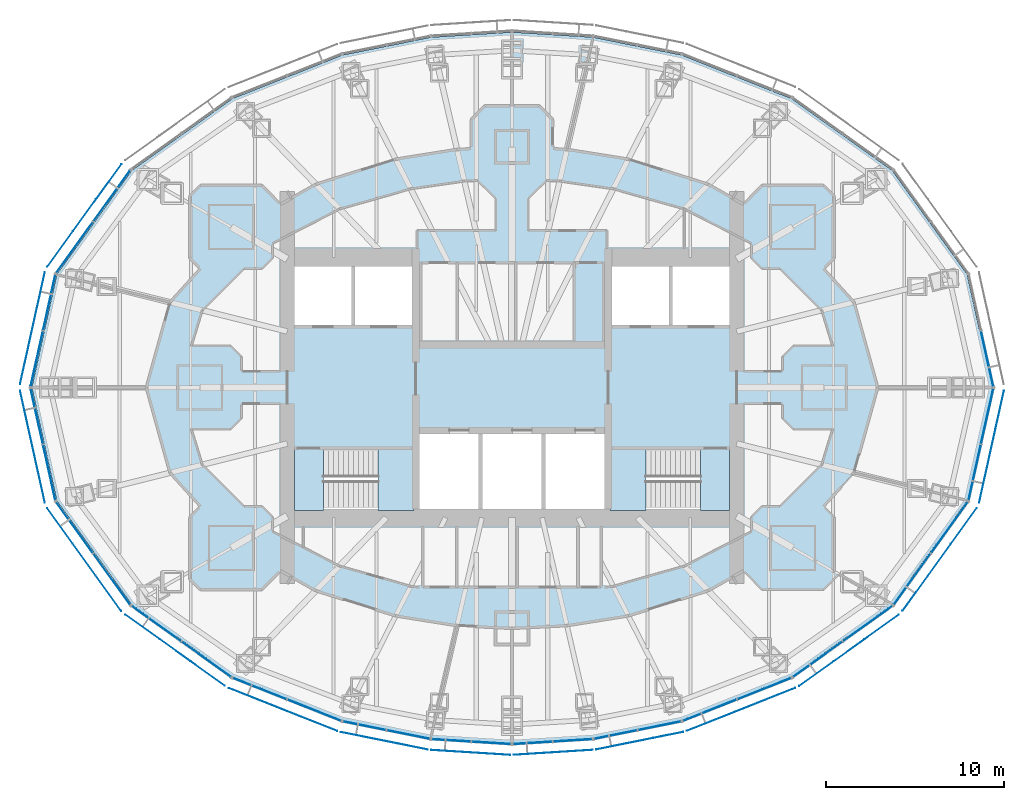
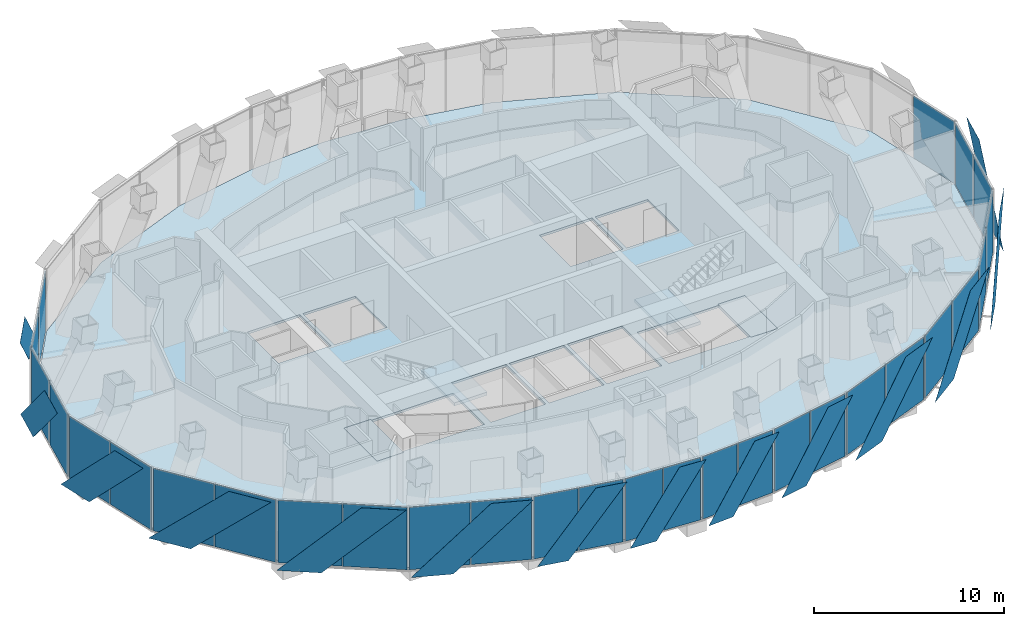
# One storey, part 10 of 18: 43 plates, 5 slabs, 17 elements without a shape of their own.
"""IFC4 building model written with IfcOpenShell, lengths in metres."""

from ifc_helpers import new_model, si_unit, direction, frame, origin, origin_2d, place, context, subcontext, project, spatial, polyline, rectangle, outline, extrude, material, layer, layer_set, type_object, element, aggregate, save


model = new_model("IFC4")

# Units and contexts
model_context = context("Model", 3, precision=1e-05, world=origin(), true_north=direction((0.0, 1.0)))
body_context = subcontext(model_context, "Body", "Model", "MODEL_VIEW")
ifc_project = project(units=[si_unit("LENGTHUNIT", "METRE"), si_unit("AREAUNIT", "SQUARE_METRE"), si_unit("VOLUMEUNIT", "CUBIC_METRE"), si_unit("PLANEANGLEUNIT", "RADIAN"), si_unit("MASSUNIT", "GRAM", prefix="KILO")], contexts=[model_context])

# Site, building, storey
site_placement = place(None, origin())
site = spatial("IfcSite", under=ifc_project, at=site_placement, CompositionType="ELEMENT")
building_placement = place(site_placement, origin())
building = spatial("IfcBuilding", under=site, at=building_placement, Name="Lantaw Convention Tower", CompositionType="ELEMENT")
storey_placement = place(building_placement, frame((0.0, 0.0, 266.199951171875)))
storey = spatial("IfcBuildingStorey", under=building, at=storey_placement, Name="L62", CompositionType="ELEMENT", Elevation=266.199951171875)

# Curtain wall, plate
ifc_material_1 = material(Name="Aluminium framed curtain wall", Category="aluminium")
curtain_wall_type = type_object("IfcCurtainWallType", Name="Office curtain wall high rise, pale aluminium", PredefinedType="USERDEFINED", material=ifc_material_1)
curtain_wall_1_placement = place(storey_placement, origin())
curtain_wall_1 = element("IfcCurtainWall", 1, at=curtain_wall_1_placement, inside=storey, type_object=curtain_wall_type, Name="Office curtain wall high rise, pale aluminium L62", ObjectType="UNITISED CURTAIN WALL", PredefinedType="USERDEFINED")
ifc_material_2 = material(Name="Clear insulating glass", Category="glass")
ifc_layer_1 = layer(ifc_material_2, 0.028076171875)
ifc_layer_set_1 = layer_set([ifc_layer_1], Name="CW-O2 panel 28")
plate_type_1 = type_object("IfcPlateType", Name="CW-O2 panel 28", PredefinedType="CURTAIN_PANEL", material=ifc_layer_set_1)
plate_1_placement = place(storey_placement, frame((26.643798828125, 1.61083984375, -0.0849609375), z_axis=(0.0, 0.0, 1.0), x_axis=(-0.215891333626, 0.976417396437, 0.0)))
plate_1 = element("IfcPlate", 2, at=plate_1_placement, type_object=plate_type_1, Name="CW-O2 panel 1.1", PredefinedType="CURTAIN_PANEL", context=body_context, shape_type="SweptSolid", body=[
    extrude(rectangle(XDim=3.169677734375, YDim=0.028076171875, at=origin_2d()), origin(), (0.0, 0.0, 1.0), 4.02001953125),
])
aggregate(curtain_wall_1, [plate_1])

# Curtain wall, plates
curtain_wall_2_placement = place(storey_placement, origin())
curtain_wall_2 = element("IfcCurtainWall", 3, at=curtain_wall_2_placement, inside=storey, type_object=curtain_wall_type, Name="Office curtain wall high rise, pale aluminium L62", ObjectType="UNITISED CURTAIN WALL", PredefinedType="USERDEFINED")
plate_2_placement = place(storey_placement, frame((-22.4404296875, 10.743896484375, -0.0849609375), z_axis=(0.0, 0.0, 1.0), x_axis=(-0.585157643865, -0.810919559405, 0.0)))
plate_2 = element("IfcPlate", 4, at=plate_2_placement, type_object=plate_type_1, Name="CW-O2 panel 1.1", PredefinedType="CURTAIN_PANEL", context=body_context, shape_type="SweptSolid", body=[
    extrude(rectangle(XDim=3.500732421875, YDim=0.028076171875, at=origin_2d()), origin(), (0.0, 0.0, 1.0), 4.02001953125),
])
plate_3_placement = place(storey_placement, frame((-24.527099609375, 7.852294921875, -0.0849609375), z_axis=(0.0, 0.0, 1.0), x_axis=(-0.585157643865, -0.810919559405, 0.0)))
plate_3 = element("IfcPlate", 5, at=plate_3_placement, type_object=plate_type_1, Name="CW-O2 panel 2.1", PredefinedType="CURTAIN_PANEL", context=body_context, shape_type="SweptSolid", body=[
    extrude(rectangle(XDim=3.500732421875, YDim=0.028076171875, at=origin_2d()), origin(), (0.0, 0.0, 1.0), 4.02001953125),
])
aggregate(curtain_wall_2, [plate_2, plate_3])

curtain_wall_3_placement = place(storey_placement, origin())
curtain_wall_3 = element("IfcCurtainWall", 6, at=curtain_wall_3_placement, inside=storey, type_object=curtain_wall_type, Name="Office curtain wall high rise, pale aluminium L62", ObjectType="UNITISED CURTAIN WALL", PredefinedType="USERDEFINED")
plate_4_placement = place(storey_placement, frame((-25.945556640625, 4.769287109375, -0.0849609375), z_axis=(0.0, 0.0, 1.0), x_axis=(-0.215891333626, -0.976417396437, 0.0)))
plate_4 = element("IfcPlate", 7, at=plate_4_placement, type_object=plate_type_1, Name="CW-O2 panel 1.1", PredefinedType="CURTAIN_PANEL", context=body_context, shape_type="SweptSolid", body=[
    extrude(rectangle(XDim=3.169677734375, YDim=0.028076171875, at=origin_2d()), origin(), (0.0, 0.0, 1.0), 4.02001953125),
])
plate_5_placement = place(storey_placement, frame((-26.643798828125, 1.61083984375, -0.0849609375), z_axis=(0.0, 0.0, 1.0), x_axis=(-0.215891333626, -0.976417396437, 0.0)))
plate_5 = element("IfcPlate", 8, at=plate_5_placement, type_object=plate_type_1, Name="CW-O2 panel 2.1", PredefinedType="CURTAIN_PANEL", context=body_context, shape_type="SweptSolid", body=[
    extrude(rectangle(XDim=3.169677734375, YDim=0.028076171875, at=origin_2d()), origin(), (0.0, 0.0, 1.0), 4.02001953125),
])
aggregate(curtain_wall_3, [plate_4, plate_5])

curtain_wall_4_placement = place(storey_placement, origin())
curtain_wall_4 = element("IfcCurtainWall", 9, at=curtain_wall_4_placement, inside=storey, type_object=curtain_wall_type, Name="Office curtain wall high rise, pale aluminium L62", ObjectType="UNITISED CURTAIN WALL", PredefinedType="USERDEFINED")
plate_6_placement = place(storey_placement, frame((-26.643798828125, -1.61083984375, -0.0849609375), z_axis=(0.0, 0.0, 1.0), x_axis=(0.215891333626, -0.976417396437, 0.0)))
plate_6 = element("IfcPlate", 10, at=plate_6_placement, type_object=plate_type_1, Name="CW-O2 panel 1.1", PredefinedType="CURTAIN_PANEL", context=body_context, shape_type="SweptSolid", body=[
    extrude(rectangle(XDim=3.169677734375, YDim=0.028076171875, at=origin_2d()), origin(), (0.0, 0.0, 1.0), 4.02001953125),
])
plate_7_placement = place(storey_placement, frame((-25.945556640625, -4.769287109375, -0.0849609375), z_axis=(0.0, 0.0, 1.0), x_axis=(0.215891333626, -0.976417396437, 0.0)))
plate_7 = element("IfcPlate", 11, at=plate_7_placement, type_object=plate_type_1, Name="CW-O2 panel 2.1", PredefinedType="CURTAIN_PANEL", context=body_context, shape_type="SweptSolid", body=[
    extrude(rectangle(XDim=3.169677734375, YDim=0.028076171875, at=origin_2d()), origin(), (0.0, 0.0, 1.0), 4.02001953125),
])
aggregate(curtain_wall_4, [plate_6, plate_7])

curtain_wall_5_placement = place(storey_placement, origin())
curtain_wall_5 = element("IfcCurtainWall", 12, at=curtain_wall_5_placement, inside=storey, type_object=curtain_wall_type, Name="Office curtain wall high rise, pale aluminium L62", ObjectType="UNITISED CURTAIN WALL", PredefinedType="USERDEFINED")
plate_8_placement = place(storey_placement, frame((-24.527099609375, -7.852294921875, -0.0849609375), z_axis=(0.0, 0.0, 1.0), x_axis=(0.585157643865, -0.810919559405, 0.0)))
plate_8 = element("IfcPlate", 13, at=plate_8_placement, type_object=plate_type_1, Name="CW-O2 panel 1.1", PredefinedType="CURTAIN_PANEL", context=body_context, shape_type="SweptSolid", body=[
    extrude(rectangle(XDim=3.500732421875, YDim=0.028076171875, at=origin_2d()), origin(), (0.0, 0.0, 1.0), 4.02001953125),
])
plate_9_placement = place(storey_placement, frame((-22.4404296875, -10.743896484375, -0.0849609375), z_axis=(0.0, 0.0, 1.0), x_axis=(0.585157643865, -0.810919559405, 0.0)))
plate_9 = element("IfcPlate", 14, at=plate_9_placement, type_object=plate_type_1, Name="CW-O2 panel 2.1", PredefinedType="CURTAIN_PANEL", context=body_context, shape_type="SweptSolid", body=[
    extrude(rectangle(XDim=3.500732421875, YDim=0.028076171875, at=origin_2d()), origin(), (0.0, 0.0, 1.0), 4.02001953125),
])
aggregate(curtain_wall_5, [plate_8, plate_9])

curtain_wall_6_placement = place(storey_placement, origin())
curtain_wall_6 = element("IfcCurtainWall", 15, at=curtain_wall_6_placement, inside=storey, type_object=curtain_wall_type, Name="Office curtain wall high rise, pale aluminium L62", ObjectType="UNITISED CURTAIN WALL", PredefinedType="USERDEFINED")
plate_10_placement = place(storey_placement, frame((-19.947509765625, -13.23828125, -0.0849609375), z_axis=(0.0, 0.0, 1.0), x_axis=(0.813672540482, -0.581323487281, 0.0)))
plate_10 = element("IfcPlate", 16, at=plate_10_placement, type_object=plate_type_1, Name="CW-O2 panel 1.1", PredefinedType="CURTAIN_PANEL", context=body_context, shape_type="SweptSolid", body=[
    extrude(rectangle(XDim=3.386474609375, YDim=0.028076171875, at=origin_2d()), origin(), (0.0, 0.0, 1.0), 4.02001953125),
])
plate_11_placement = place(storey_placement, frame((-17.13916015625, -15.24462890625, -0.0849609375), z_axis=(0.0, 0.0, 1.0), x_axis=(0.813672540482, -0.581323487281, 0.0)))
plate_11 = element("IfcPlate", 17, at=plate_11_placement, type_object=plate_type_1, Name="CW-O2 panel 2.1", PredefinedType="CURTAIN_PANEL", context=body_context, shape_type="SweptSolid", body=[
    extrude(rectangle(XDim=3.386474609375, YDim=0.028076171875, at=origin_2d()), origin(), (0.0, 0.0, 1.0), 4.02001953125),
])
aggregate(curtain_wall_6, [plate_10, plate_11])

curtain_wall_7_placement = place(storey_placement, origin())
curtain_wall_7 = element("IfcCurtainWall", 18, at=curtain_wall_7_placement, inside=storey, type_object=curtain_wall_type, Name="Office curtain wall high rise, pale aluminium L62", ObjectType="UNITISED CURTAIN WALL", PredefinedType="USERDEFINED")
plate_12_placement = place(storey_placement, frame((-14.14990234375, -16.8837890625, -0.0849609375), z_axis=(0.0, 0.0, 1.0), x_axis=(0.929761533743, -0.368162315252, 0.0)))
plate_12 = element("IfcPlate", 19, at=plate_12_placement, type_object=plate_type_1, Name="CW-O2 panel 1.1", PredefinedType="CURTAIN_PANEL", context=body_context, shape_type="SweptSolid", body=[
    extrude(rectangle(XDim=3.222900390625, YDim=0.028076171875, at=origin_2d()), origin(), (0.0, 0.0, 1.0), 4.02001953125),
])
plate_13_placement = place(storey_placement, frame((-11.0927734375, -18.094482421875, -0.0849609375), z_axis=(0.0, 0.0, 1.0), x_axis=(0.929761533743, -0.368162315252, 0.0)))
plate_13 = element("IfcPlate", 20, at=plate_13_placement, type_object=plate_type_1, Name="CW-O2 panel 2.1", PredefinedType="CURTAIN_PANEL", context=body_context, shape_type="SweptSolid", body=[
    extrude(rectangle(XDim=3.222900390625, YDim=0.028076171875, at=origin_2d()), origin(), (0.0, 0.0, 1.0), 4.02001953125),
])
aggregate(curtain_wall_7, [plate_12, plate_13])

curtain_wall_8_placement = place(storey_placement, origin())
curtain_wall_8 = element("IfcCurtainWall", 21, at=curtain_wall_8_placement, inside=storey, type_object=curtain_wall_type, Name="Office curtain wall high rise, pale aluminium L62", ObjectType="UNITISED CURTAIN WALL", PredefinedType="USERDEFINED")
plate_14_placement = place(storey_placement, frame((-8.2724609375, -18.96533203125, -0.0849609375), z_axis=(0.0, 0.0, 1.0), x_axis=(0.980366679695, -0.197183095987, 0.0)))
plate_14 = element("IfcPlate", 22, at=plate_14_placement, type_object=plate_type_1, Name="CW-O2 panel 1.1", PredefinedType="CURTAIN_PANEL", context=body_context, shape_type="SweptSolid", body=[
    extrude(rectangle(XDim=2.44384765625, YDim=0.028076171875, at=origin_2d()), origin(), (0.0, 0.0, 1.0), 4.02001953125),
])
plate_15_placement = place(storey_placement, frame((-5.81298828125, -19.4599609375, -0.0849609375), z_axis=(0.0, 0.0, 1.0), x_axis=(0.980366679695, -0.197183095987, 0.0)))
plate_15 = element("IfcPlate", 23, at=plate_15_placement, type_object=plate_type_1, Name="CW-O2 panel 2.1", PredefinedType="CURTAIN_PANEL", context=body_context, shape_type="SweptSolid", body=[
    extrude(rectangle(XDim=2.44384765625, YDim=0.028076171875, at=origin_2d()), origin(), (0.0, 0.0, 1.0), 4.02001953125),
])
aggregate(curtain_wall_8, [plate_14, plate_15])

curtain_wall_9_placement = place(storey_placement, origin())
curtain_wall_9 = element("IfcCurtainWall", 24, at=curtain_wall_9_placement, inside=storey, type_object=curtain_wall_type, Name="Office curtain wall high rise, pale aluminium L62", ObjectType="UNITISED CURTAIN WALL", PredefinedType="USERDEFINED")
plate_16_placement = place(storey_placement, frame((-3.397216796875, -19.786376953125, -0.0849609375), z_axis=(0.0, 0.0, 1.0), x_axis=(0.998028774865, -0.062757983884, 0.0)))
plate_16 = element("IfcPlate", 25, at=plate_16_placement, type_object=plate_type_1, Name="CW-O2 panel 1.1", PredefinedType="CURTAIN_PANEL", context=body_context, shape_type="SweptSolid", body=[
    extrude(rectangle(XDim=2.1826171875, YDim=0.028076171875, at=origin_2d()), origin(), (0.0, 0.0, 1.0), 4.02001953125),
])
plate_17_placement = place(storey_placement, frame((-1.154052734375, -19.927490234375, -0.0849609375), z_axis=(0.0, 0.0, 1.0), x_axis=(0.998028774865, -0.062757983884, 0.0)))
plate_17 = element("IfcPlate", 26, at=plate_17_placement, type_object=plate_type_1, Name="CW-O2 panel 2.1", PredefinedType="CURTAIN_PANEL", context=body_context, shape_type="SweptSolid", body=[
    extrude(rectangle(XDim=2.1826171875, YDim=0.028076171875, at=origin_2d()), origin(), (0.0, 0.0, 1.0), 4.02001953125),
])
aggregate(curtain_wall_9, [plate_16, plate_17])

curtain_wall_10_placement = place(storey_placement, origin())
curtain_wall_10 = element("IfcCurtainWall", 27, at=curtain_wall_10_placement, inside=storey, type_object=curtain_wall_type, Name="Office curtain wall high rise, pale aluminium L62", ObjectType="UNITISED CURTAIN WALL", PredefinedType="USERDEFINED")
plate_18_placement = place(storey_placement, frame((1.154052734375, -19.927490234375, -0.0849609375), z_axis=(0.0, 0.0, 1.0), x_axis=(0.998028774865, 0.062757983884, 0.0)))
plate_18 = element("IfcPlate", 28, at=plate_18_placement, type_object=plate_type_1, Name="CW-O2 panel 1.1", PredefinedType="CURTAIN_PANEL", context=body_context, shape_type="SweptSolid", body=[
    extrude(rectangle(XDim=2.1826171875, YDim=0.028076171875, at=origin_2d()), origin(), (0.0, 0.0, 1.0), 4.02001953125),
])
plate_19_placement = place(storey_placement, frame((3.397216796875, -19.786376953125, -0.0849609375), z_axis=(0.0, 0.0, 1.0), x_axis=(0.998028774865, 0.062757983884, 0.0)))
plate_19 = element("IfcPlate", 29, at=plate_19_placement, type_object=plate_type_1, Name="CW-O2 panel 2.1", PredefinedType="CURTAIN_PANEL", context=body_context, shape_type="SweptSolid", body=[
    extrude(rectangle(XDim=2.1826171875, YDim=0.028076171875, at=origin_2d()), origin(), (0.0, 0.0, 1.0), 4.02001953125),
])
aggregate(curtain_wall_10, [plate_18, plate_19])

curtain_wall_11_placement = place(storey_placement, origin())
curtain_wall_11 = element("IfcCurtainWall", 30, at=curtain_wall_11_placement, inside=storey, type_object=curtain_wall_type, Name="Office curtain wall high rise, pale aluminium L62", ObjectType="UNITISED CURTAIN WALL", PredefinedType="USERDEFINED")
plate_20_placement = place(storey_placement, frame((5.81298828125, -19.4599609375, -0.0849609375), z_axis=(0.0, 0.0, 1.0), x_axis=(0.980366679695, 0.197183095987, 0.0)))
plate_20 = element("IfcPlate", 31, at=plate_20_placement, type_object=plate_type_1, Name="CW-O2 panel 1.1", PredefinedType="CURTAIN_PANEL", context=body_context, shape_type="SweptSolid", body=[
    extrude(rectangle(XDim=2.44384765625, YDim=0.028076171875, at=origin_2d()), origin(), (0.0, 0.0, 1.0), 4.02001953125),
])
plate_21_placement = place(storey_placement, frame((8.2724609375, -18.96533203125, -0.0849609375), z_axis=(0.0, 0.0, 1.0), x_axis=(0.980366679695, 0.197183095987, 0.0)))
plate_21 = element("IfcPlate", 32, at=plate_21_placement, type_object=plate_type_1, Name="CW-O2 panel 2.1", PredefinedType="CURTAIN_PANEL", context=body_context, shape_type="SweptSolid", body=[
    extrude(rectangle(XDim=2.44384765625, YDim=0.028076171875, at=origin_2d()), origin(), (0.0, 0.0, 1.0), 4.02001953125),
])
aggregate(curtain_wall_11, [plate_20, plate_21])

curtain_wall_12_placement = place(storey_placement, origin())
curtain_wall_12 = element("IfcCurtainWall", 33, at=curtain_wall_12_placement, inside=storey, type_object=curtain_wall_type, Name="Office curtain wall high rise, pale aluminium L62", ObjectType="UNITISED CURTAIN WALL", PredefinedType="USERDEFINED")
plate_22_placement = place(storey_placement, frame((11.0927734375, -18.094482421875, -0.0849609375), z_axis=(0.0, 0.0, 1.0), x_axis=(0.929761533743, 0.368162315252, 0.0)))
plate_22 = element("IfcPlate", 34, at=plate_22_placement, type_object=plate_type_1, Name="CW-O2 panel 1.1", PredefinedType="CURTAIN_PANEL", context=body_context, shape_type="SweptSolid", body=[
    extrude(rectangle(XDim=3.222900390625, YDim=0.028076171875, at=origin_2d()), origin(), (0.0, 0.0, 1.0), 4.02001953125),
])
plate_23_placement = place(storey_placement, frame((14.14990234375, -16.8837890625, -0.0849609375), z_axis=(0.0, 0.0, 1.0), x_axis=(0.929761533743, 0.368162315252, 0.0)))
plate_23 = element("IfcPlate", 35, at=plate_23_placement, type_object=plate_type_1, Name="CW-O2 panel 2.1", PredefinedType="CURTAIN_PANEL", context=body_context, shape_type="SweptSolid", body=[
    extrude(rectangle(XDim=3.222900390625, YDim=0.028076171875, at=origin_2d()), origin(), (0.0, 0.0, 1.0), 4.02001953125),
])
aggregate(curtain_wall_12, [plate_22, plate_23])

curtain_wall_13_placement = place(storey_placement, origin())
curtain_wall_13 = element("IfcCurtainWall", 36, at=curtain_wall_13_placement, inside=storey, type_object=curtain_wall_type, Name="Office curtain wall high rise, pale aluminium L62", ObjectType="UNITISED CURTAIN WALL", PredefinedType="USERDEFINED")
plate_24_placement = place(storey_placement, frame((17.13916015625, -15.24462890625, -0.0849609375), z_axis=(0.0, 0.0, 1.0), x_axis=(0.813672540482, 0.581323487281, 0.0)))
plate_24 = element("IfcPlate", 37, at=plate_24_placement, type_object=plate_type_1, Name="CW-O2 panel 1.1", PredefinedType="CURTAIN_PANEL", context=body_context, shape_type="SweptSolid", body=[
    extrude(rectangle(XDim=3.386474609375, YDim=0.028076171875, at=origin_2d()), origin(), (0.0, 0.0, 1.0), 4.02001953125),
])
plate_25_placement = place(storey_placement, frame((19.947509765625, -13.23828125, -0.0849609375), z_axis=(0.0, 0.0, 1.0), x_axis=(0.813672540482, 0.581323487281, 0.0)))
plate_25 = element("IfcPlate", 38, at=plate_25_placement, type_object=plate_type_1, Name="CW-O2 panel 2.1", PredefinedType="CURTAIN_PANEL", context=body_context, shape_type="SweptSolid", body=[
    extrude(rectangle(XDim=3.386474609375, YDim=0.028076171875, at=origin_2d()), origin(), (0.0, 0.0, 1.0), 4.02001953125),
])
aggregate(curtain_wall_13, [plate_24, plate_25])

curtain_wall_14_placement = place(storey_placement, origin())
curtain_wall_14 = element("IfcCurtainWall", 39, at=curtain_wall_14_placement, inside=storey, type_object=curtain_wall_type, Name="Office curtain wall high rise, pale aluminium L62", ObjectType="UNITISED CURTAIN WALL", PredefinedType="USERDEFINED")
plate_26_placement = place(storey_placement, frame((22.4404296875, -10.743896484375, -0.0849609375), z_axis=(0.0, 0.0, 1.0), x_axis=(0.585157643865, 0.810919559405, 0.0)))
plate_26 = element("IfcPlate", 40, at=plate_26_placement, type_object=plate_type_1, Name="CW-O2 panel 1.1", PredefinedType="CURTAIN_PANEL", context=body_context, shape_type="SweptSolid", body=[
    extrude(rectangle(XDim=3.500732421875, YDim=0.028076171875, at=origin_2d()), origin(), (0.0, 0.0, 1.0), 4.02001953125),
])
plate_27_placement = place(storey_placement, frame((24.527099609375, -7.852294921875, -0.0849609375), z_axis=(0.0, 0.0, 1.0), x_axis=(0.585157643865, 0.810919559405, 0.0)))
plate_27 = element("IfcPlate", 41, at=plate_27_placement, type_object=plate_type_1, Name="CW-O2 panel 2.1", PredefinedType="CURTAIN_PANEL", context=body_context, shape_type="SweptSolid", body=[
    extrude(rectangle(XDim=3.500732421875, YDim=0.028076171875, at=origin_2d()), origin(), (0.0, 0.0, 1.0), 4.02001953125),
])
aggregate(curtain_wall_14, [plate_26, plate_27])

curtain_wall_15_placement = place(storey_placement, origin())
curtain_wall_15 = element("IfcCurtainWall", 42, at=curtain_wall_15_placement, inside=storey, type_object=curtain_wall_type, Name="Office curtain wall high rise, pale aluminium L62", ObjectType="UNITISED CURTAIN WALL", PredefinedType="USERDEFINED")
plate_28_placement = place(storey_placement, frame((25.945556640625, -4.769287109375, -0.0849609375), z_axis=(0.0, 0.0, 1.0), x_axis=(0.215891333626, 0.976417396437, 0.0)))
plate_28 = element("IfcPlate", 43, at=plate_28_placement, type_object=plate_type_1, Name="CW-O2 panel 1.1", PredefinedType="CURTAIN_PANEL", context=body_context, shape_type="SweptSolid", body=[
    extrude(rectangle(XDim=3.169677734375, YDim=0.028076171875, at=origin_2d()), origin(), (0.0, 0.0, 1.0), 4.02001953125),
])
plate_29_placement = place(storey_placement, frame((26.643798828125, -1.61083984375, -0.0849609375), z_axis=(0.0, 0.0, 1.0), x_axis=(0.215891333626, 0.976417396437, 0.0)))
plate_29 = element("IfcPlate", 44, at=plate_29_placement, type_object=plate_type_1, Name="CW-O2 panel 2.1", PredefinedType="CURTAIN_PANEL", context=body_context, shape_type="SweptSolid", body=[
    extrude(rectangle(XDim=3.169677734375, YDim=0.028076171875, at=origin_2d()), origin(), (0.0, 0.0, 1.0), 4.02001953125),
])
aggregate(curtain_wall_15, [plate_28, plate_29])

# Slab
ifc_material_3 = material(Name="Concrete C35/45", Category="concrete")
ifc_layer_2 = layer(ifc_material_3, 0.14990234375)
ifc_layer_set_2 = layer_set([ifc_layer_2], Name="Floor slab 150")
slab_type_1 = type_object("IfcSlabType", Name="Floor slab 150", PredefinedType="FLOOR", material=ifc_layer_set_2)
slab_1_placement = place(storey_placement, frame((0.0, 0.0, -0.14990234375)))
element("IfcSlab", 45, at=slab_1_placement, inside=storey, type_object=slab_type_1, Name="L62 floor slab", PredefinedType="FLOOR", context=body_context, shape_type="SweptSolid", body=[
    extrude(outline(polyline([(25.51953125, -6.348876953125), (26.923095703125, 0.0), (25.51953125, 6.348876953125), (21.324462890625, 12.162109375), (15.67236328125, 16.2001953125), (9.5126953125, 18.639404296875), (4.54150390625, 19.63916015625), (0.0, 19.9248046875), (-4.54150390625, 19.63916015625), (-9.5126953125, 18.639404296875), (-15.67236328125, 16.2001953125), (-21.324462890625, 12.162109375), (-25.51953125, 6.348876953125), (-26.923095703125, 0.0), (-25.51953125, -6.348876953125), (-21.324462890625, -12.162109375), (-15.67236328125, -16.2001953125), (-9.5126953125, -18.639404296875), (-4.54150390625, -19.63916015625), (0.0, -19.9248046875), (4.54150390625, -19.63916015625), (9.5126953125, -18.639404296875), (15.67236328125, -16.2001953125), (21.324462890625, -12.162109375), (25.51953125, -6.348876953125)]), holes=[polyline([(-5.60009765625, -3.5), (-12.199951171875, -3.5), (-12.199951171875, -6.800048828125), (-5.60009765625, -6.800048828125), (-5.60009765625, -3.5)]), polyline([(12.199951171875, -3.5), (5.60009765625, -3.5), (5.60009765625, -6.800048828125), (12.199951171875, -6.800048828125), (12.199951171875, -3.5)]), polyline([(-1.86669921875, -2.60009765625), (-5.199951171875, -2.60009765625), (-5.199951171875, -6.800048828125), (-1.86669921875, -6.800048828125), (-1.86669921875, -2.60009765625)]), polyline([(1.666748046875, -2.60009765625), (-1.666748046875, -2.60009765625), (-1.666748046875, -6.800048828125), (1.666748046875, -6.800048828125), (1.666748046875, -2.60009765625)]), polyline([(5.199951171875, -2.60009765625), (1.86669921875, -2.60009765625), (1.86669921875, -6.800048828125), (5.199951171875, -6.800048828125), (5.199951171875, -2.60009765625)]), polyline([(-9.0, 6.800048828125), (-12.199951171875, 6.800048828125), (-12.199951171875, 3.5), (-9.0, 3.5), (-9.0, 6.800048828125)]), polyline([(-5.60009765625, 6.800048828125), (-8.800048828125, 6.800048828125), (-8.800048828125, 3.5), (-5.60009765625, 3.5), (-5.60009765625, 6.800048828125)]), polyline([(8.800048828125, 3.5), (8.800048828125, 6.800048828125), (5.60009765625, 6.800048828125), (5.60009765625, 3.5), (8.800048828125, 3.5)]), polyline([(12.199951171875, 3.5), (12.199951171875, 6.800048828125), (9.0, 6.800048828125), (9.0, 3.5), (12.199951171875, 3.5)])]), origin(), (0.0, 0.0, 1.0), 0.14990234375),
])

# Plates
ifc_material_4 = material(Name="Perforated aluminium sheet, pale silver finish", Category="aluminium")
ifc_layer_3 = layer(ifc_material_4, 0.006103515625)
ifc_layer_set_3 = layer_set([ifc_layer_3], Name="Perforated aluminium solar SCREEN panel")
plate_type_2 = type_object("IfcPlateType", Name="Perforated aluminium solar SCREEN panel", PredefinedType="SHEET", material=ifc_layer_set_3)
plate_30_placement = place(storey_placement, frame((-21.898681640625, 12.530029296875, -0.175048828125), z_axis=(-0.810892289695, 0.585195432394, 2.0458414e-05), x_axis=(-0.585195432516, -0.810892289865, 0.0)))
element("IfcPlate", 46, at=plate_30_placement, inside=storey, type_object=plate_type_2, Name="Solar SCREEN panel", PredefinedType="SHEET", context=body_context, shape_type="SweptSolid", body=[
    extrude(outline(polyline([(0.0, 0.0), (2.446848840683286, -6.776263578034403e-21), (7.09661046667572, 4.340087891533265), (4.649761625992435, 4.340087891533265), (0.0, 0.0)])), origin(), (0.0, 0.0, -1.0), 0.006103515625),
])
plate_31_placement = place(storey_placement, frame((-26.19189453125, 6.462158203125, -0.175048828125), z_axis=(0.976429511424, -0.215836529031, 4.4219438e-05), x_axis=(-0.215836529242, -0.976429512379, 0.0)))
element("IfcPlate", 47, at=plate_31_placement, inside=storey, type_object=plate_type_2, Name="Solar SCREEN panel", PredefinedType="SHEET", context=body_context, shape_type="SweptSolid", body=[
    extrude(outline(polyline([(0.0, 0.0), (2.2215525295212517, 3.3881317890172014e-21), (6.4341686174090675, -4.340087894868215), (4.212616087887817, -4.340087894868215), (0.0, 0.0)])), origin(), (0.0, 0.0, -1.0), 0.006103515625),
])
plate_32_placement = place(storey_placement, frame((-27.580810546875, -0.1796875, -0.175048828125), z_axis=(-0.976429511424, -0.215836529031, 4.4219438e-05), x_axis=(0.215836529242, -0.976429512379, 0.0)))
element("IfcPlate", 48, at=plate_32_placement, inside=storey, type_object=plate_type_2, Name="Solar SCREEN panel", PredefinedType="SHEET", context=body_context, shape_type="SweptSolid", body=[
    extrude(outline(polyline([(0.0, 0.0), (2.2215525295212517, -3.3881317890172014e-21), (6.4341686174090675, 4.340087894868215), (4.212616087887817, 4.340087894868215), (0.0, 0.0)])), origin(), (0.0, 0.0, -1.0), 0.006103515625),
])
plate_33_placement = place(storey_placement, frame((-26.051513671875, -6.775390625, -0.175048828125), z_axis=(0.810892289695, 0.585195432394, 2.0458414e-05), x_axis=(0.585195432516, -0.810892289865, 0.0)))
element("IfcPlate", 49, at=plate_33_placement, inside=storey, type_object=plate_type_2, Name="Solar SCREEN panel", PredefinedType="SHEET", context=body_context, shape_type="SweptSolid", body=[
    extrude(outline(polyline([(0.0, 0.0), (2.446848840683286, 6.776263578034403e-21), (7.09661046667572, -4.340087891533265), (4.649761625992435, -4.340087891533265), (0.0, 0.0)])), origin(), (0.0, 0.0, -1.0), 0.006103515625),
])
plate_34_placement = place(storey_placement, frame((-21.689697265625, -12.73828125, -0.175048828125), z_axis=(-0.581330799771, -0.813667316006, 1.0072414e-05), x_axis=(0.813667316047, -0.5813307998, 3.02e-10)))
element("IfcPlate", 50, at=plate_34_placement, inside=storey, type_object=plate_type_2, Name="Solar SCREEN panel", PredefinedType="SHEET", context=body_context, shape_type="SweptSolid", body=[
    extrude(outline(polyline([(0.0, 0.0), (2.3691416428668504, 0.0), (6.867806096558412, 4.34008788877314), (4.498863102938644, 4.340087890202622), (0.0, 0.0)])), origin(), (0.0, 0.0, -1.0), 0.006103515625),
])
plate_35_placement = place(storey_placement, frame((-15.88525390625, -16.8486328125, -0.175048828125), z_axis=(0.368116612072, 0.929779629081, 3.5533269e-05), x_axis=(0.929779629668, -0.368116612304, -1.786e-09)))
element("IfcPlate", 51, at=plate_35_placement, inside=storey, type_object=plate_type_2, Name="Solar SCREEN panel", PredefinedType="SHEET", context=body_context, shape_type="SweptSolid", body=[
    extrude(outline(polyline([(0.0, 0.0), (2.2578720663572183, -3.3881317890172014e-21), (6.540904465438181, -4.340087905048178), (4.282942526861161, -4.340087896982072), (0.0, 0.0)])), origin(), (0.0, 0.0, -1.0), 0.006103515625),
])
plate_36_placement = place(storey_placement, frame((-9.6044921875, -19.315673828125, -0.175048828125), z_axis=(0.197162069853, 0.980370908428, 1.0904083e-05), x_axis=(0.980370908486, -0.197162069865, -7.55e-10)))
element("IfcPlate", 52, at=plate_36_placement, inside=storey, type_object=plate_type_2, Name="Solar SCREEN panel", PredefinedType="SHEET", context=body_context, shape_type="SweptSolid", body=[
    extrude(outline(polyline([(0.0, 0.0), (1.7279870169553606, 8.470329472543003e-22), (4.982578440602753, -4.340087894645749), (3.2545432883764285, -4.340087892035838), (0.0, 0.0)])), origin(), (0.0, 0.0, -1.0), 0.006103515625),
])
plate_37_placement = place(storey_placement, frame((-4.539306640625, -20.32177734375, -0.175048828125), z_axis=(0.062672387577, 0.998034151922, 5.858668e-05), x_axis=(0.998034153635, -0.062672387685, 0.0)))
element("IfcPlate", 53, at=plate_37_placement, inside=storey, type_object=plate_type_2, Name="Solar SCREEN panel", PredefinedType="SHEET", context=body_context, shape_type="SweptSolid", body=[
    extrude(outline(polyline([(0.0, 0.0), (1.5504111513762302, 8.470329472543003e-22), (4.460200019412434, -4.340087898073457), (2.9097888680362036, -4.340087898073457), (0.0, 0.0)])), origin(), (0.0, 0.0, -1.0), 0.006103515625),
])
plate_38_placement = place(storey_placement, frame((0.087890625, -20.6015625, -0.175048828125), z_axis=(0.062672387577, -0.998034151922, 5.858668e-05), x_axis=(0.998034153635, 0.062672387685, 0.0)))
element("IfcPlate", 54, at=plate_38_placement, inside=storey, type_object=plate_type_2, Name="Solar SCREEN panel", PredefinedType="SHEET", context=body_context, shape_type="SweptSolid", body=[
    extrude(outline(polyline([(0.0, 0.0), (1.5504111513762302, -8.470329472543003e-22), (4.460200019412434, 4.340087898073457), (2.9097888680362036, 4.340087898073457), (0.0, 0.0)])), origin(), (0.0, 0.0, -1.0), 0.006103515625),
])
plate_39_placement = place(storey_placement, frame((4.7197265625, -20.298095703125, -0.175048828125), z_axis=(0.197162069853, -0.980370908428, 1.0904083e-05), x_axis=(0.980370908486, 0.197162069865, 7.55e-10)))
element("IfcPlate", 55, at=plate_39_placement, inside=storey, type_object=plate_type_2, Name="Solar SCREEN panel", PredefinedType="SHEET", context=body_context, shape_type="SweptSolid", body=[
    extrude(outline(polyline([(0.0, 0.0), (1.7280351522263238, 4.235164736271502e-22), (4.982578447157737, 4.34008788712039), (3.2545914302023755, 4.340087889730228), (0.0, 0.0)])), origin(), (0.0, 0.0, -1.0), 0.006103515625),
])
plate_40_placement = place(storey_placement, frame((9.8037109375, -19.256591796875, -0.175048828125), z_axis=(0.368116612072, -0.929779629081, 3.5533269e-05), x_axis=(0.929779629668, 0.368116612304, 1.786e-09)))
element("IfcPlate", 56, at=plate_40_placement, inside=storey, type_object=plate_type_2, Name="Solar SCREEN panel", PredefinedType="SHEET", context=body_context, shape_type="SweptSolid", body=[
    extrude(outline(polyline([(0.0, 0.0), (2.257961938577019, 0.0), (6.540904480942253, 4.34008788168214), (4.283032414585035, 4.340087889747925), (0.0, 0.0)])), origin(), (0.0, 0.0, -1.0), 0.006103515625),
])
plate_41_placement = place(storey_placement, frame((16.1015625, -16.730712890625, -0.175048828125), z_axis=(-0.581330799771, 0.813667316006, 1.0072414e-05), x_axis=(0.813667316047, 0.5813307998, -3.02e-10)))
element("IfcPlate", 57, at=plate_41_placement, inside=storey, type_object=plate_type_2, Name="Solar SCREEN panel", PredefinedType="SHEET", context=body_context, shape_type="SweptSolid", body=[
    extrude(outline(polyline([(0.0, 0.0), (2.3689429936197683, -1.6940658945086007e-21), (6.867806093939489, -4.340087892917353), (4.498664451072639, -4.340087891487751), (0.0, 0.0)])), origin(), (0.0, 0.0, -1.0), 0.006103515625),
])
plate_42_placement = place(storey_placement, frame((21.898681640625, -12.530029296875, -0.175048828125), z_axis=(0.810892289695, -0.585195432394, 2.0458414e-05), x_axis=(0.585195432516, 0.810892289865, 0.0)))
element("IfcPlate", 58, at=plate_42_placement, inside=storey, type_object=plate_type_2, Name="Solar SCREEN panel", PredefinedType="SHEET", context=body_context, shape_type="SweptSolid", body=[
    extrude(outline(polyline([(0.0, 0.0), (2.446848840683286, -6.776263578034403e-21), (7.09661046667572, 4.340087891533265), (4.649761625992435, 4.340087891533265), (0.0, 0.0)])), origin(), (0.0, 0.0, -1.0), 0.006103515625),
])
plate_43_placement = place(storey_placement, frame((26.19189453125, -6.462158203125, -0.175048828125), z_axis=(-0.976429511424, 0.215836529031, 4.4219438e-05), x_axis=(0.215836529242, 0.976429512379, 0.0)))
element("IfcPlate", 59, at=plate_43_placement, inside=storey, type_object=plate_type_2, Name="Solar SCREEN panel", PredefinedType="SHEET", context=body_context, shape_type="SweptSolid", body=[
    extrude(outline(polyline([(0.0, 0.0), (2.2215525295212517, 3.3881317890172014e-21), (6.4341686174090675, -4.340087894868215), (4.212616087887817, -4.340087894868215), (0.0, 0.0)])), origin(), (0.0, 0.0, -1.0), 0.006103515625),
])

# Stair, slabs
stair_type = type_object("IfcStairType", Name="Exit stair 1500 riser 175 in 2 flights", PredefinedType="HALF_TURN_STAIR", material=ifc_material_3)
stair_1_placement = place(storey_placement, origin())
stair_1 = element("IfcStair", 60, at=stair_1_placement, inside=storey, type_object=stair_type, Name="Exit stair S1 L62", PredefinedType="HALF_TURN_STAIR")
ifc_layer_4 = layer(ifc_material_3, 0.199951171875)
ifc_layer_set_4 = layer_set([ifc_layer_4], Name="Stair landing 200")
slab_type_2 = type_object("IfcSlabType", Name="Stair landing 200", PredefinedType="LANDING", material=ifc_layer_set_4)
slab_2_placement = place(storey_placement, frame((0.0, 0.0, -0.199951171875)))
slab_2 = element("IfcSlab", 61, at=slab_2_placement, type_object=slab_type_2, Name="S1 landing 1", PredefinedType="LANDING", context=body_context, shape_type="SweptSolid", body=[
    extrude(outline(polyline([(-12.199951171875, -6.89990234375), (-10.580078125, -6.89990234375), (-10.580078125, -3.39990234375), (-12.199951171875, -3.39990234375), (-12.199951171875, -6.89990234375)])), origin(), (0.0, 0.0, 1.0), 0.199951171875),
])
slab_3_placement = place(storey_placement, frame((0.0, 0.0, 1.900146484375)))
slab_3 = element("IfcSlab", 62, at=slab_3_placement, type_object=slab_type_2, Name="S1 landing 2", PredefinedType="LANDING", context=body_context, shape_type="SweptSolid", body=[
    extrude(outline(polyline([(-7.5, -6.89990234375), (-5.5, -6.89990234375), (-5.5, -3.39990234375), (-7.5, -3.39990234375), (-7.5, -6.89990234375)])), origin(), (0.0, 0.0, 1.0), 0.199951171875),
])
aggregate(stair_1, [slab_2, slab_3])

stair_2_placement = place(storey_placement, origin())
stair_2 = element("IfcStair", 63, at=stair_2_placement, inside=storey, type_object=stair_type, Name="Exit stair S2 L62", PredefinedType="HALF_TURN_STAIR")
slab_4_placement = place(storey_placement, frame((0.0, 0.0, -0.199951171875)))
slab_4 = element("IfcSlab", 64, at=slab_4_placement, type_object=slab_type_2, Name="S2 landing 1", PredefinedType="LANDING", context=body_context, shape_type="SweptSolid", body=[
    extrude(outline(polyline([(10.580078125, -6.89990234375), (12.199951171875, -6.89990234375), (12.199951171875, -3.39990234375), (10.580078125, -3.39990234375), (10.580078125, -6.89990234375)])), origin(), (0.0, 0.0, 1.0), 0.199951171875),
])
slab_5_placement = place(storey_placement, frame((0.0, 0.0, 1.900146484375)))
slab_5 = element("IfcSlab", 65, at=slab_5_placement, type_object=slab_type_2, Name="S2 landing 2", PredefinedType="LANDING", context=body_context, shape_type="SweptSolid", body=[
    extrude(outline(polyline([(5.5, -6.89990234375), (7.5, -6.89990234375), (7.5, -3.39990234375), (5.5, -3.39990234375), (5.5, -6.89990234375)])), origin(), (0.0, 0.0, 1.0), 0.199951171875),
])
aggregate(stair_2, [slab_4, slab_5])

save(model, "model.ifc")
